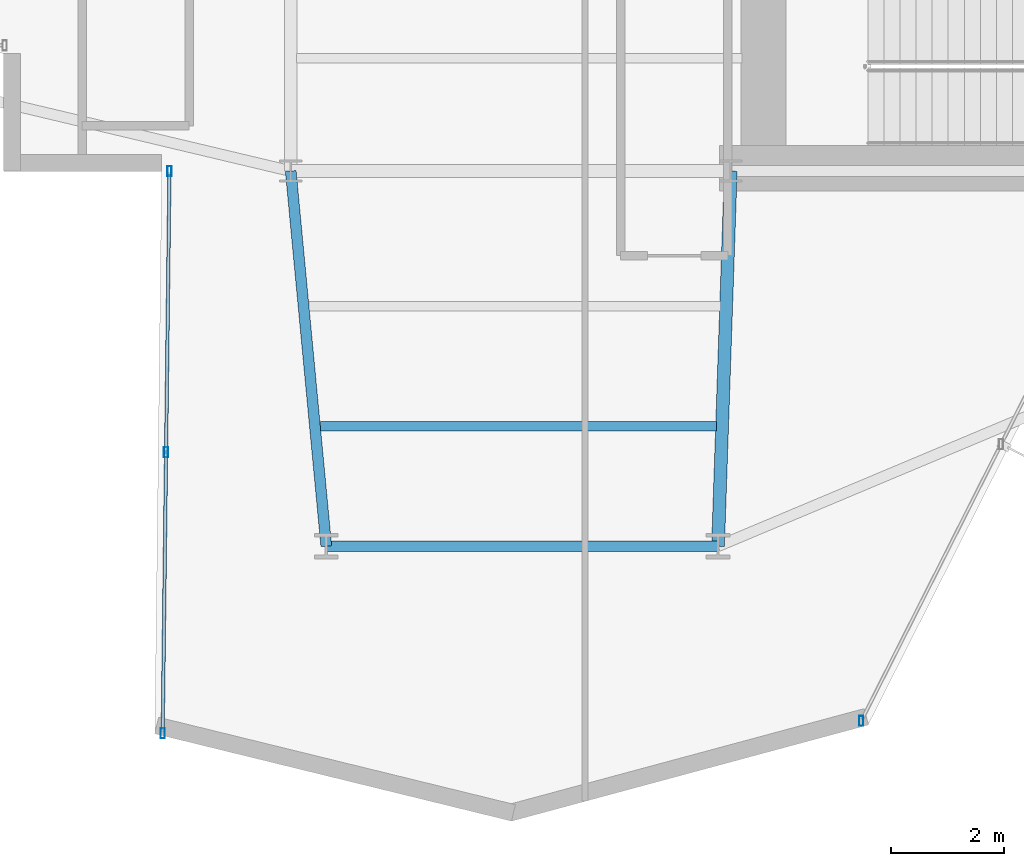
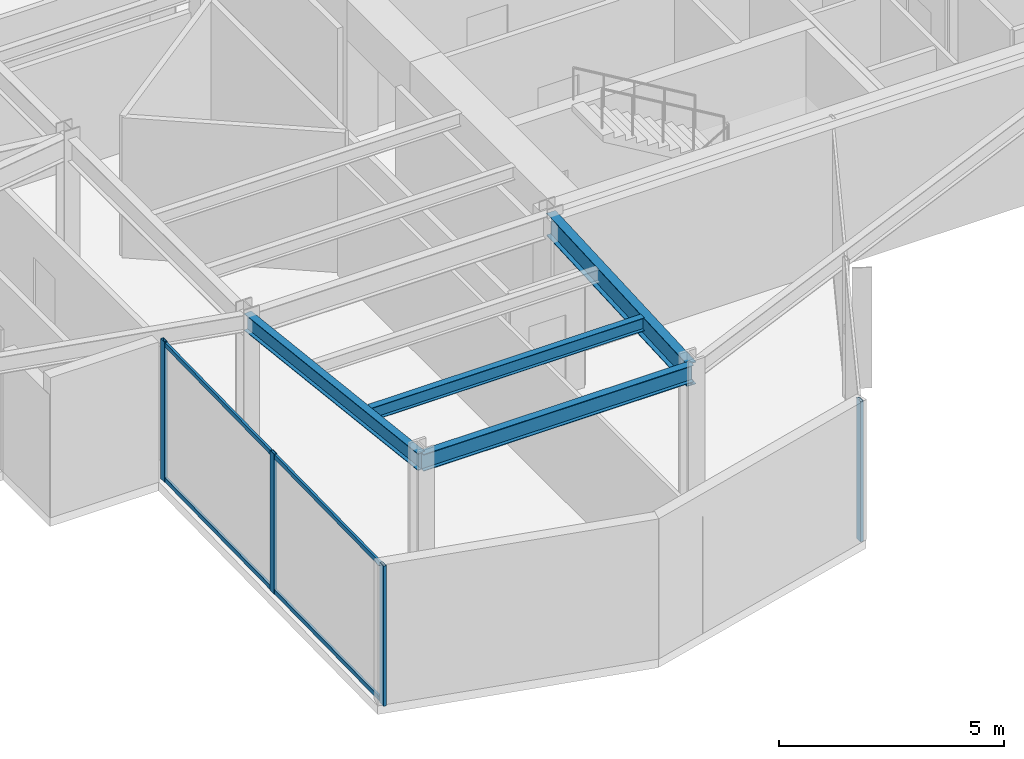
# One storey, part 4 of 25: 6 members, 4 beams, 2 elements without a shape of their own.
"""IFC4 building model written with IfcOpenShell, lengths in metres."""

from ifc_helpers import new_model, si_unit, direction, frame, origin, origin_2d, place, context, subcontext, project, spatial, hollow_rectangle, i_section, extrude, material, layer, layer_set, material_profile, profile_set, type_object, element, aggregate, save


model = new_model("IFC4")

# Units and contexts
model_context = context("Model", 3, precision=1e-05, world=origin(), true_north=direction((0.0, 1.0)))
body_context = subcontext(model_context, "Body", "Model", "MODEL_VIEW")
ifc_project = project(units=[si_unit("LENGTHUNIT", "METRE"), si_unit("AREAUNIT", "SQUARE_METRE"), si_unit("VOLUMEUNIT", "CUBIC_METRE"), si_unit("PLANEANGLEUNIT", "RADIAN"), si_unit("MASSUNIT", "GRAM", prefix="KILO")], contexts=[model_context])

# Site, building, storey
site_placement = place(None, origin())
site = spatial("IfcSite", under=ifc_project, at=site_placement, CompositionType="ELEMENT")
building_placement = place(site_placement, origin())
building = spatial("IfcBuilding", under=site, at=building_placement, Name="Veymaron Broadcast Tower", CompositionType="ELEMENT")
storey_placement = place(building_placement, frame((0.0, 0.0, 129.0)))
storey = spatial("IfcBuildingStorey", under=building, at=storey_placement, Name="L29", CompositionType="ELEMENT", Elevation=129.0)

# Beams
ifc_material_1 = material(Name="Structural steel ASTM A992 Gr 50", Category="steel")
ifc_material_profile_1 = material_profile(ifc_material_1, i_section(OverallWidth=0.22802734375, OverallDepth=0.60791015625, WebThickness=0.01123046875, FlangeThickness=0.017333984375, at=origin_2d()), Name="W610X113")
ifc_profile_set_1 = profile_set([ifc_material_profile_1], Name="Structural steel ASTM A992 Gr 50")
beam_type_1 = type_object("IfcBeamType", Name="BM-FG2", PredefinedType="BEAM", material=ifc_profile_set_1)
beam_1_placement = place(storey_placement, frame((39.0, 16.0, 3.506103515625), z_axis=(-0.033830392706, -0.999427588437, 0.0), x_axis=(0.999427588437, -0.033830392706, 0.0)))
element("IfcBeam", 1, at=beam_1_placement, inside=storey, type_object=beam_type_1, Name="L29 primary structural floor girder", PredefinedType="BEAM", context=body_context, shape_type="SweptSolid", body=[
    extrude(i_section(OverallWidth=0.22802734375, OverallDepth=0.60791015625, WebThickness=0.01123046875, FlangeThickness=0.017333984375, at=origin_2d()), origin(), (0.0, 0.0, 1.0), 6.65380859375),
])
ifc_material_profile_2 = material_profile(ifc_material_1, i_section(OverallWidth=0.1708984375, OverallDepth=0.35498046875, WebThickness=0.007080078125, FlangeThickness=0.01171875, at=origin_2d()), Name="W360X51")
ifc_profile_set_2 = profile_set([ifc_material_profile_2], Name="Structural steel ASTM A992 Gr 50")
beam_type_2 = type_object("IfcBeamType", Name="BM-JS2", PredefinedType="JOIST", material=ifc_profile_set_2)
beam_2_placement = place(storey_placement, frame((31.728515625, 11.47802734375, 3.632568359375), z_axis=(1.0, 0.0, 0.0), x_axis=(0.0, 1.0, 0.0)))
element("IfcBeam", 2, at=beam_2_placement, inside=storey, type_object=beam_type_2, Name="L29 Arm-C secondary joist 2", PredefinedType="JOIST", context=body_context, shape_type="SweptSolid", body=[
    extrude(i_section(OverallWidth=0.1708984375, OverallDepth=0.35498046875, WebThickness=0.007080078125, FlangeThickness=0.01171875, at=origin_2d()), origin(), (0.0, 0.0, 1.0), 7.0185546875),
])
ifc_material_profile_3 = material_profile(ifc_material_1, i_section(OverallWidth=0.19091796875, OverallDepth=0.4599609375, WebThickness=0.010009765625, FlangeThickness=0.01611328125, at=origin_2d()), Name="W460X82")
ifc_profile_set_3 = profile_set([ifc_material_profile_3], Name="Structural steel ASTM A992 Gr 50")
beam_type_3 = type_object("IfcBeamType", Name="BM-SP1", PredefinedType="SPANDREL", material=ifc_profile_set_3)
beam_3_placement = place(storey_placement, frame((31.199951171875, 16.0, 3.580078125), z_axis=(0.094334757201, -0.995540533371, 0.0), x_axis=(0.995540533371, 0.094334757201, 0.0)))
element("IfcBeam", 3, at=beam_3_placement, inside=storey, type_object=beam_type_3, Name="L29 primary structural floor girder", PredefinedType="SPANDREL", context=body_context, shape_type="SweptSolid", body=[
    extrude(i_section(OverallWidth=0.19091796875, OverallDepth=0.4599609375, WebThickness=0.010009765625, FlangeThickness=0.01611328125, at=origin_2d()), origin(), (0.0, 0.0, 1.0), 6.6796875),
])
beam_4_placement = place(storey_placement, frame((31.830078125, 9.35009765625, 3.580078125), z_axis=(1.0, 0.0, 0.0), x_axis=(0.0, 1.0, 0.0)))
element("IfcBeam", 4, at=beam_4_placement, inside=storey, type_object=beam_type_3, Name="L29 primary structural floor girder", PredefinedType="SPANDREL", context=body_context, shape_type="SweptSolid", body=[
    extrude(i_section(OverallWidth=0.19091796875, OverallDepth=0.4599609375, WebThickness=0.010009765625, FlangeThickness=0.01611328125, at=origin_2d()), origin(), (0.0, 0.0, 1.0), 6.94482421875),
])

# Curtain wall, members
ifc_material_2 = material(Name="Anodised aluminium AA 6063-T6 and laminated low-E dark glass", Category="aluminium")
ifc_layer = layer(ifc_material_2, 0.179931640625)
ifc_layer_set = layer_set([ifc_layer], Name="Anodised aluminium AA 6063-T6 and laminated low-E dark glass")
curtain_wall_type = type_object("IfcCurtainWallType", Name="CW-SYS-03", PredefinedType="NOTDEFINED", material=ifc_layer_set)
curtain_wall_1_placement = place(storey_placement, origin())
curtain_wall_1 = element("IfcCurtainWall", 5, at=curtain_wall_1_placement, inside=storey, type_object=curtain_wall_type, Name="L29 dark-glass curtain wall CW-L29-E17-1", PredefinedType="NOTDEFINED")
ifc_material_3 = material(Name="Anodised aluminium AA 6063-T6", Category="aluminium")
ifc_material_profile_4 = material_profile(ifc_material_3, hollow_rectangle(XDim=0.074951171875, YDim=0.179931640625, WallThickness=0.0048828125, at=origin_2d()), Name="AL180X75X5")
ifc_profile_set_4 = profile_set([ifc_material_profile_4], Name="Anodised aluminium AA 6063-T6")
member_type_1 = type_object("IfcMemberType", Name="CW-MUL-02", PredefinedType="MULLION", material=ifc_profile_set_4)
member_1_placement = place(storey_placement, frame((29.05029296875, 15.998291015625, 0.0), z_axis=(0.0, 0.0, 1.0), x_axis=(1.0, 0.0, 0.0)))
member_1 = element("IfcMember", 6, at=member_1_placement, type_object=member_type_1, Name="CW-L29-E17-1 mullion 0", PredefinedType="MULLION", context=body_context, shape_type="SweptSolid", body=[
    extrude(hollow_rectangle(XDim=0.074951171875, YDim=0.179931640625, WallThickness=0.0048828125, at=origin_2d()), origin(), (0.0, 0.0, 1.0), 3.81005859375),
])
member_2_placement = place(storey_placement, frame((28.989990234375, 11.015869140625, 0.0), z_axis=(0.0, 0.0, 1.0), x_axis=(1.0, 0.0, 0.0)))
member_2 = element("IfcMember", 7, at=member_2_placement, type_object=member_type_1, Name="CW-L29-E17-1 mullion 1", PredefinedType="MULLION", context=body_context, shape_type="SweptSolid", body=[
    extrude(hollow_rectangle(XDim=0.074951171875, YDim=0.179931640625, WallThickness=0.0048828125, at=origin_2d()), origin(), (0.0, 0.0, 1.0), 3.81005859375),
])
member_3_placement = place(storey_placement, frame((28.929931640625, 6.033203125, 0.0), z_axis=(0.0, 0.0, 1.0), x_axis=(1.0, 0.0, 0.0)))
member_3 = element("IfcMember", 8, at=member_3_placement, type_object=member_type_1, Name="CW-L29-E17-1 mullion 2", PredefinedType="MULLION", context=body_context, shape_type="SweptSolid", body=[
    extrude(hollow_rectangle(XDim=0.074951171875, YDim=0.179931640625, WallThickness=0.0048828125, at=origin_2d()), origin(), (0.0, 0.0, 1.0), 3.81005859375),
])

# Curtain wall, member
curtain_wall_2_placement = place(storey_placement, origin())
curtain_wall_2 = element("IfcCurtainWall", 9, at=curtain_wall_2_placement, inside=storey, type_object=curtain_wall_type, Name="L29 dark-glass curtain wall CW-L29-E20-1", PredefinedType="NOTDEFINED")
member_4_placement = place(storey_placement, frame((41.31494140625, 6.253173828125, 0.0), z_axis=(0.0, 0.0, 1.0), x_axis=(1.0, 0.0, 0.0)))
member_4 = element("IfcMember", 10, at=member_4_placement, type_object=member_type_1, Name="CW-L29-E20-1 mullion 0", PredefinedType="MULLION", context=body_context, shape_type="SweptSolid", body=[
    extrude(hollow_rectangle(XDim=0.074951171875, YDim=0.179931640625, WallThickness=0.0048828125, at=origin_2d()), origin(), (0.0, 0.0, 1.0), 3.81005859375),
])
aggregate(curtain_wall_2, [member_4])

# Member
ifc_material_profile_5 = material_profile(ifc_material_3, hollow_rectangle(XDim=0.06005859375, YDim=0.1201171875, WallThickness=0.00390625, at=origin_2d()), Name="AL120X60X4")
ifc_profile_set_5 = profile_set([ifc_material_profile_5], Name="Anodised aluminium AA 6063-T6")
member_type_2 = type_object("IfcMemberType", Name="CW-TRN-02", PredefinedType="USERDEFINED", material=ifc_profile_set_5)
member_5_placement = place(storey_placement, frame((29.0498046875, 15.9482421875, 0.070068359375), z_axis=(-0.012076234683, -0.999927079619, 0.0), x_axis=(0.999927079619, -0.012076234683, 0.0)))
member_5 = element("IfcMember", 11, at=member_5_placement, type_object=member_type_2, Name="CW-L29-E17-1 transom B", ObjectType="TRANSOM", PredefinedType="USERDEFINED", context=body_context, shape_type="SweptSolid", body=[
    extrude(hollow_rectangle(XDim=0.06005859375, YDim=0.1201171875, WallThickness=0.00390625, at=origin_2d()), origin(), (0.0, 0.0, 1.0), 9.86572265625),
])

member_6_placement = place(storey_placement, frame((29.0498046875, 15.9482421875, 3.739990234375), z_axis=(-0.012076234683, -0.999927079619, 0.0), x_axis=(0.999927079619, -0.012076234683, 0.0)))
member_6 = element("IfcMember", 12, at=member_6_placement, type_object=member_type_2, Name="CW-L29-E17-1 transom T", ObjectType="TRANSOM", PredefinedType="USERDEFINED", context=body_context, shape_type="SweptSolid", body=[
    extrude(hollow_rectangle(XDim=0.06005859375, YDim=0.1201171875, WallThickness=0.00390625, at=origin_2d()), origin(), (0.0, 0.0, 1.0), 9.86572265625),
])

aggregate(curtain_wall_1, [member_1, member_2, member_3, member_5, member_6])

save(model, "model.ifc")
